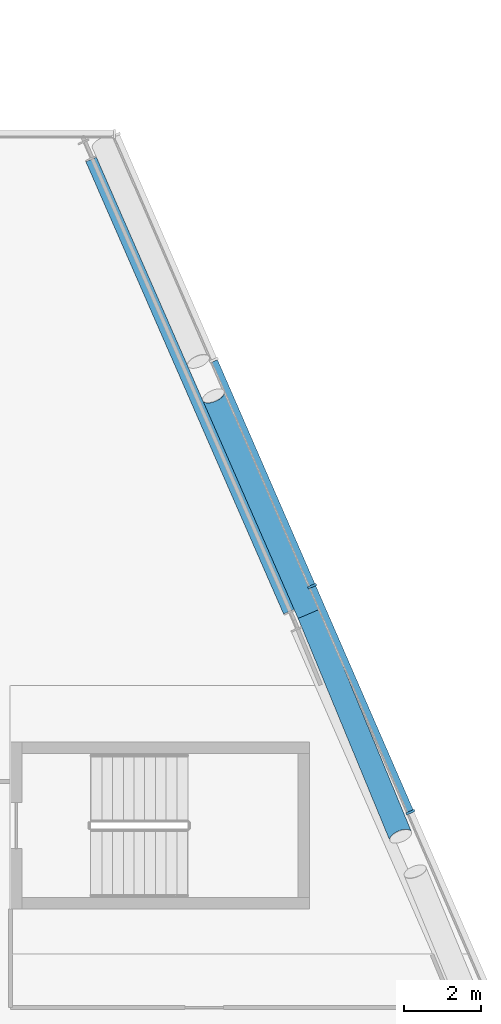
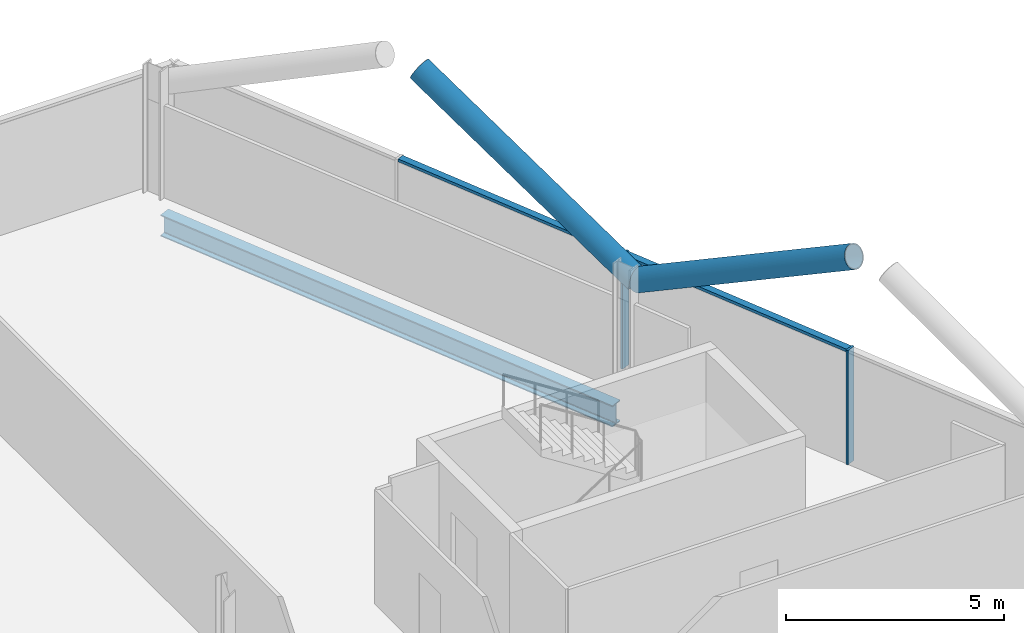
# One storey, part 9 of 27: 6 members, 1 beam, 1 element without a shape of its own.
"""IFC4 building model written with IfcOpenShell, lengths in metres."""

from ifc_helpers import new_model, si_unit, direction, frame, origin, origin_2d, place, context, subcontext, project, spatial, rectangle, hollow_circle, i_section, extrude, material, material_profile, profile_set, type_object, element, aggregate, save


model = new_model("IFC4")

# Units and contexts
model_context = context("Model", 3, precision=1e-05, world=origin(), true_north=direction((0.0, 1.0)))
body_context = subcontext(model_context, "Body", "Model", "MODEL_VIEW")
ifc_project = project(units=[si_unit("LENGTHUNIT", "METRE"), si_unit("AREAUNIT", "SQUARE_METRE"), si_unit("VOLUMEUNIT", "CUBIC_METRE"), si_unit("PLANEANGLEUNIT", "RADIAN"), si_unit("MASSUNIT", "GRAM", prefix="KILO")], contexts=[model_context])

# Site, building, storey
site_placement = place(None, origin())
site = spatial("IfcSite", under=ifc_project, at=site_placement, CompositionType="ELEMENT")
building_placement = place(site_placement, origin())
building = spatial("IfcBuilding", under=site, at=building_placement, Name="Wharfspan Tower", CompositionType="ELEMENT")
storey_placement = place(building_placement, frame((0.0, 0.0, 210.699951)))
storey = spatial("IfcBuildingStorey", under=building, at=storey_placement, Name="L52", CompositionType="ELEMENT", Elevation=210.699951)

# Beam
ifc_material_1 = material(Name="Steel S355J2", Category="steel")
ifc_material_profile_1 = material_profile(ifc_material_1, i_section(OverallWidth=0.300049, OverallDepth=0.600098, WebThickness=0.015381, FlangeThickness=0.030029, FilletRadius=0.0271, at=origin_2d()))
ifc_profile_set_1 = profile_set([ifc_material_profile_1], Name="Steel S355J2")
beam_type = type_object("IfcBeamType", Name="Edge beam HEB 600", PredefinedType="SPANDREL", material=ifc_profile_set_1)
beam_placement = place(storey_placement, frame((74.13208, 29.53125, -0.699951), z_axis=(-0.400619, 0.916245, 0.0), x_axis=(-0.916245, -0.400619, 0.0)))
element("IfcBeam", 1, at=beam_placement, inside=storey, type_object=beam_type, Name="Edge beam E L52 PE.2 to PE.3", PredefinedType="SPANDREL", context=body_context, shape_type="SweptSolid", body=[
    extrude(i_section(OverallWidth=0.300049, OverallDepth=0.600098, WebThickness=0.015381, FlangeThickness=0.030029, FilletRadius=0.0271, at=origin_2d()), origin(), (0.0, 0.0, 1.0), 12.883545),
])

# Curtain wall, members
ifc_material_2 = material(Name="Aluminium 6063-T6", Category="aluminium")
curtain_wall_type = type_object("IfcCurtainWallType", Name="CURTAIN WALL PROW AND END", PredefinedType="NOTDEFINED", material=ifc_material_2)
curtain_wall_placement = place(storey_placement, origin())
curtain_wall = element("IfcCurtainWall", 2, at=curtain_wall_placement, inside=storey, type_object=curtain_wall_type, Name="Curtain wall E", PredefinedType="NOTDEFINED")
ifc_material_profile_2 = material_profile(ifc_material_2, rectangle(XDim=0.23999, YDim=0.060059, at=origin_2d()))
ifc_profile_set_2 = profile_set([ifc_material_profile_2], Name="Aluminium 6063-T6")
member_type_1 = type_object("IfcMemberType", Name="MULLION PROW AND END 60x240", PredefinedType="MULLION", material=ifc_profile_set_2)
member_1_placement = place(storey_placement, frame((77.304443, 24.300049, 0.0), z_axis=(0.0, 0.0, 1.0), x_axis=(-0.917072, -0.398727, 0.0)))
member_1 = element("IfcMember", 3, at=member_1_placement, type_object=member_type_1, Name="Curtain wall E mullion 4", PredefinedType="MULLION", context=body_context, shape_type="SweptSolid", body=[
    extrude(rectangle(XDim=0.23999, YDim=0.060059, at=origin_2d()), origin(), (0.0, 0.0, 1.0), 3.199951),
])
member_2_placement = place(storey_placement, frame((74.739014, 30.199951, 0.0), z_axis=(0.0, 0.0, 1.0), x_axis=(-0.917072, -0.398727, 0.0)))
member_2 = element("IfcMember", 4, at=member_2_placement, type_object=member_type_1, Name="Curtain wall E mullion 5", PredefinedType="MULLION", context=body_context, shape_type="SweptSolid", body=[
    extrude(rectangle(XDim=0.23999, YDim=0.060059, at=origin_2d()), origin(), (0.0, 0.0, 1.0), 3.199951),
])

# Members
ifc_material_3 = material(Name="Steel S460NH", Category="steel")
ifc_material_profile_3 = material_profile(ifc_material_3, hollow_circle(Radius=0.304932, WallThickness=0.024902, at=origin_2d()))
ifc_profile_set_3 = profile_set([ifc_material_profile_3], Name="Steel S460NH")
member_type_2 = type_object("IfcMemberType", Name="Mega brace CHS 610x25", PredefinedType="BRACE", material=ifc_profile_set_3)
member_3_placement = place(storey_placement, frame((74.652588, 29.476318, 2.900146), z_axis=(0.337038, -0.81638, 0.468967), x_axis=(0.924329, 0.381603, -2e-06)))
element("IfcMember", 5, at=member_3_placement, inside=storey, type_object=member_type_2, Name="Mega brace E5 L53 part 3", PredefinedType="BRACE", context=body_context, shape_type="SweptSolid", body=[
    extrude(hollow_circle(Radius=0.304932, WallThickness=0.024902, at=origin_2d()), origin(), (0.0, 0.0, 1.0), 7.106201),
])
member_4_placement = place(storey_placement, frame((74.652588, 29.476318, 2.900146), z_axis=(-0.352889, 0.807113, 0.473327), x_axis=(-0.916248, -0.400606, 1e-06)))
element("IfcMember", 6, at=member_4_placement, inside=storey, type_object=member_type_2, Name="Mega brace E6 L53 part 1", PredefinedType="BRACE", context=body_context, shape_type="SweptSolid", body=[
    extrude(hollow_circle(Radius=0.304932, WallThickness=0.024902, at=origin_2d()), origin(), (0.0, 0.0, 1.0), 7.042236),
])

# Member
ifc_material_profile_4 = material_profile(ifc_material_2, rectangle(XDim=0.179932, YDim=0.080078, at=origin_2d()))
ifc_profile_set_4 = profile_set([ifc_material_profile_4], Name="Aluminium 6063-T6")
member_type_3 = type_object("IfcMemberType", Name="TRANSOM PROW AND END 80x180", PredefinedType="USERDEFINED", material=ifc_profile_set_4)
member_5_placement = place(storey_placement, frame((77.29248, 24.327393, 3.160156), z_axis=(-0.39874, 0.917064, 0.0), x_axis=(-0.917064, -0.39874, 0.0)))
member_5 = element("IfcMember", 7, at=member_5_placement, type_object=member_type_3, Name="Curtain wall E transom 4", ObjectType="TRANSOM", PredefinedType="USERDEFINED", context=body_context, shape_type="SweptSolid", body=[
    extrude(rectangle(XDim=0.179932, YDim=0.080078, at=origin_2d()), origin(), (0.0, 0.0, 1.0), 6.373779),
])

member_6_placement = place(storey_placement, frame((74.727051, 30.227539, 3.160156), z_axis=(-0.398722, 0.917072, 0.0), x_axis=(-0.917072, -0.398722, 0.0)))
member_6 = element("IfcMember", 8, at=member_6_placement, type_object=member_type_3, Name="Curtain wall E transom 5", ObjectType="TRANSOM", PredefinedType="USERDEFINED", context=body_context, shape_type="SweptSolid", body=[
    extrude(rectangle(XDim=0.179932, YDim=0.080078, at=origin_2d()), origin(), (0.0, 0.0, 1.0), 6.373535),
])

aggregate(curtain_wall, [member_1, member_2, member_5, member_6])

save(model, "model.ifc")
